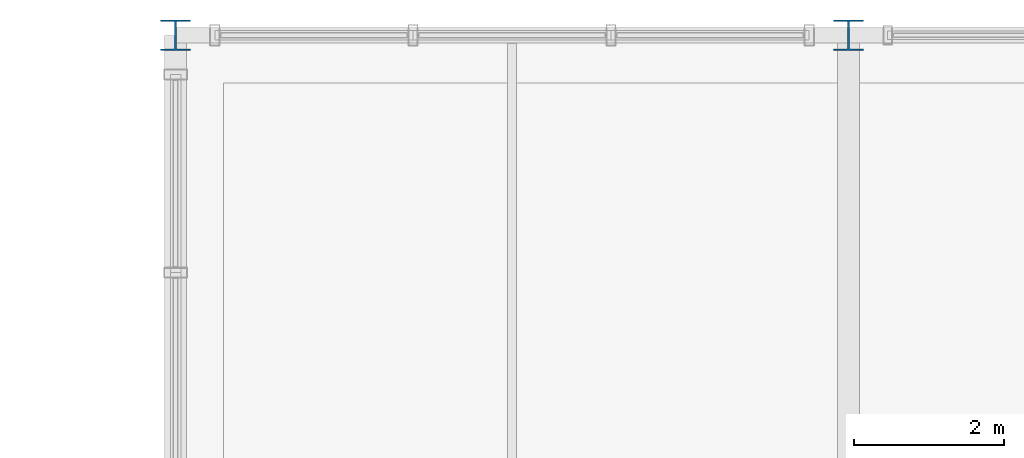
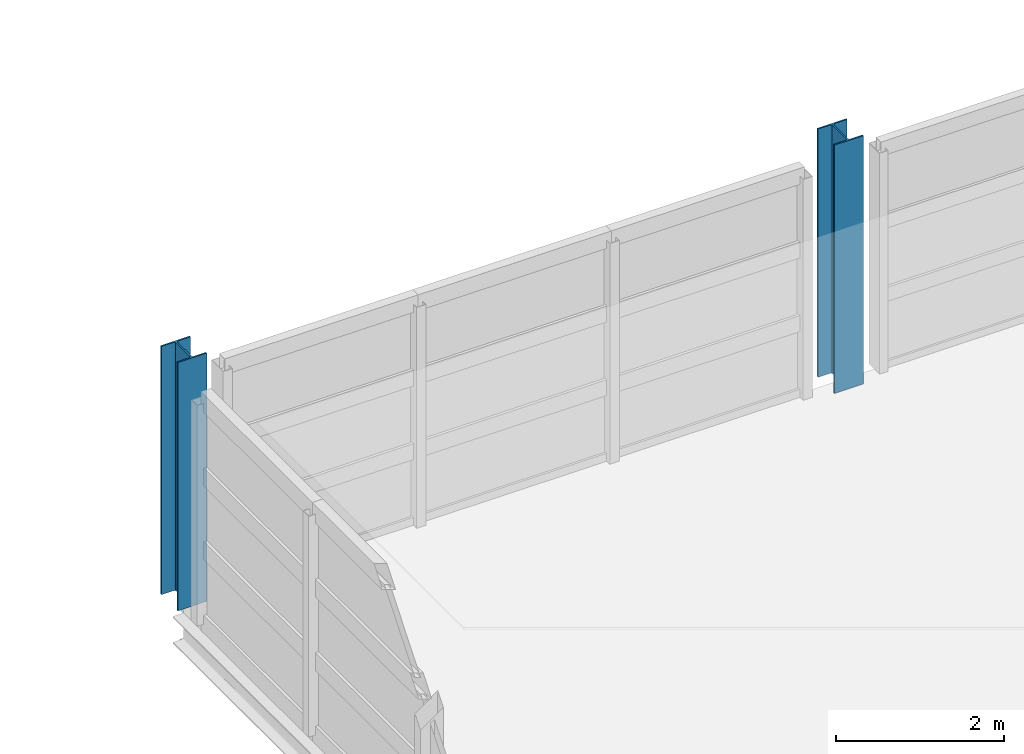
# One storey, part 11 of 116: 2 columns.
"""IFC4 building model written with IfcOpenShell, lengths in metres."""

from ifc_helpers import new_model, si_unit, direction, frame, origin, origin_2d, place, context, subcontext, project, spatial, i_section, extrude, material, material_profile, profile_set, type_object, element, save


model = new_model("IFC4")

# Units and contexts
model_context = context("Model", 3, precision=1e-05, world=origin(), true_north=direction((0.0, 1.0)))
body_context = subcontext(model_context, "Body", "Model", "MODEL_VIEW")
ifc_project = project(units=[si_unit("LENGTHUNIT", "METRE"), si_unit("AREAUNIT", "SQUARE_METRE"), si_unit("VOLUMEUNIT", "CUBIC_METRE"), si_unit("PLANEANGLEUNIT", "RADIAN"), si_unit("MASSUNIT", "GRAM", prefix="KILO")], contexts=[model_context])

# Site, building, storey
site_placement = place(None, origin())
site = spatial("IfcSite", under=ifc_project, at=site_placement, CompositionType="ELEMENT")
building_placement = place(site_placement, origin())
building = spatial("IfcBuilding", under=site, at=building_placement, Name="Chuanluo Vaults Station", CompositionType="ELEMENT")
storey_placement = place(building_placement, frame((0.0, 0.0, 10.800048828125)))
storey = spatial("IfcBuildingStorey", under=building, at=storey_placement, Name="L02", CompositionType="ELEMENT", Elevation=10.800048828125)

# Columns
ifc_material = material(Name="Steel Q355C", Category="steel")
ifc_material_profile = material_profile(ifc_material, i_section(OverallWidth=0.39990234375, OverallDepth=0.407958984375, WebThickness=0.02099609375, FlangeThickness=0.02099609375, FilletRadius=0.02197265625, at=origin_2d()))
ifc_profile_set = profile_set([ifc_material_profile], Name="Steel Q355C")
column_type = type_object("IfcColumnType", Name="COL-STL-HW408", PredefinedType="COLUMN", material=ifc_profile_set)
for number, where, z_axis, x_axis, name in (
    (1, (117.0, 126.0, 0.0), (0.0, 0.0, 1.0), (1.0, 0.0, 0.0), "Column L02-072"),
    (2, (126.0, 126.0, 0.0), (0.0, 0.0, 1.0), (1.0, 0.0, 0.0), "Column L02-083"),
):
    element("IfcColumn", number, at=place(storey_placement, frame(where, z_axis=z_axis, x_axis=x_axis)), inside=storey, type_object=column_type, Name=name, PredefinedType="COLUMN", context=body_context, shape_type="SweptSolid", body=[
        extrude(i_section(OverallWidth=0.39990234375, OverallDepth=0.407958984375, WebThickness=0.02099609375, FlangeThickness=0.02099609375, FilletRadius=0.02197265625, at=origin_2d()), origin(), (0.0, 0.0, 1.0), 3.599853515625),
    ])

save(model, "model.ifc")
